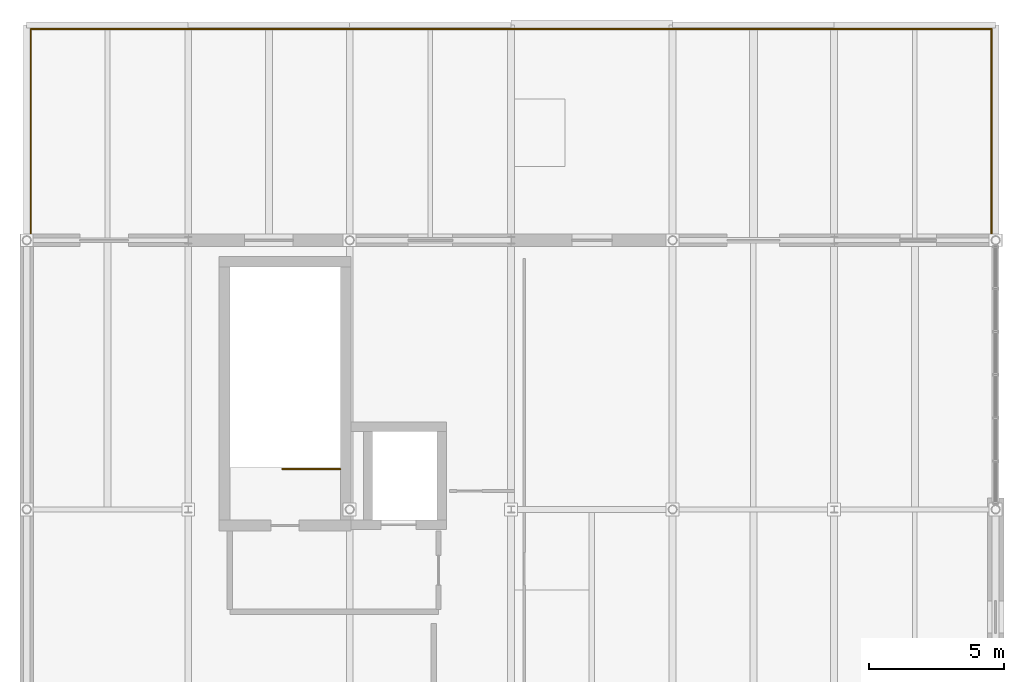
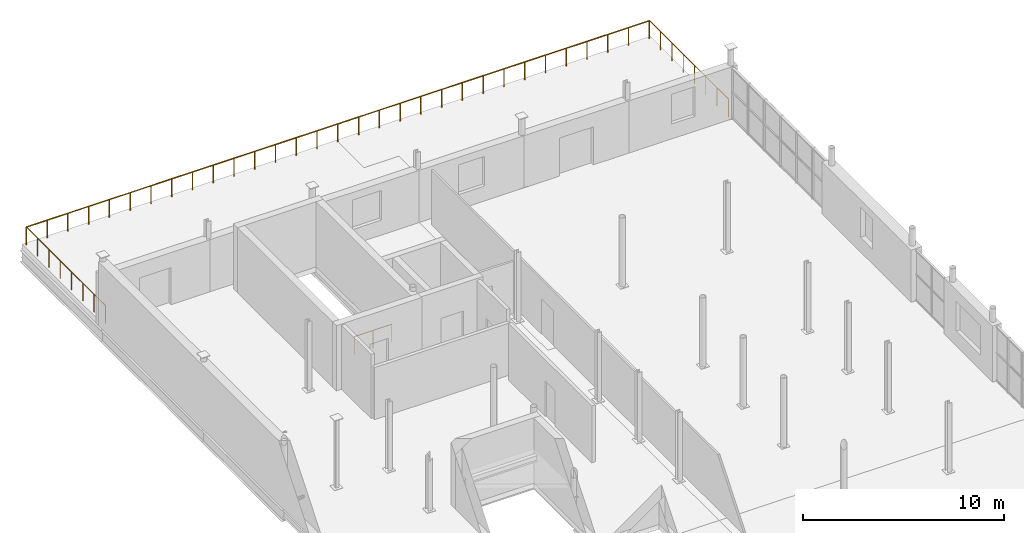
# One storey, part 30 of 30: 4 railings.
"""IFC4 building model written with IfcOpenShell, lengths in metres."""

from ifc_helpers import new_model, si_unit, direction, frame, origin, origin_2d, place, context, subcontext, project, spatial, circle, extrude, material, type_object, element, save


model = new_model("IFC4")

# Units and contexts
model_context = context("Model", 3, precision=1e-05, world=origin(), true_north=direction((0.0, 1.0)))
body_context = subcontext(model_context, "Body", "Model", "MODEL_VIEW")
ifc_project = project(units=[si_unit("LENGTHUNIT", "METRE"), si_unit("AREAUNIT", "SQUARE_METRE"), si_unit("VOLUMEUNIT", "CUBIC_METRE"), si_unit("PLANEANGLEUNIT", "RADIAN"), si_unit("MASSUNIT", "GRAM", prefix="KILO")], contexts=[model_context])

# Site, building, storey
site_placement = place(None, origin())
site = spatial("IfcSite", under=ifc_project, at=site_placement, CompositionType="ELEMENT")
building_placement = place(site_placement, origin())
building = spatial("IfcBuilding", under=site, at=building_placement, Name="Verrall Gate Interchange", CompositionType="ELEMENT")
storey_placement = place(building_placement, frame((0.0, 0.0, 19.39990234375)))
storey = spatial("IfcBuildingStorey", under=building, at=storey_placement, Name="L05", CompositionType="ELEMENT", Elevation=19.39990234375)

# Railings
ifc_material_1 = material(Name="Tyndall Dolomitic Limestone Ashlar Cavity Assembly (U=0.18)", Category="masonry")
railing_type_1 = type_object("IfcRailingType", Name="BL-01 Classical Stone Balustrade 1120", PredefinedType="BALUSTRADE", material=ifc_material_1)
railing_1_placement = place(storey_placement, frame((35.85009765625, 73.85009765625, 0.0)))
element("IfcRailing", 1, at=railing_1_placement, inside=storey, type_object=railing_type_1, Name="L05 Planted Roof Garden Guardrail 12", PredefinedType="BALUSTRADE", context=body_context, shape_type="SweptSolid", body=[
    extrude(circle(Radius=0.02392578125, at=origin_2d()), frame((0.0, 0.0, 1.09619140625), z_axis=(0.0, -1.0, 0.0), x_axis=(1.0, 0.0, 0.0)), (0.0, 0.0, 1.0), 7.85009765625),
    extrude(circle(Radius=0.02099609375, at=origin_2d()), origin(), (0.0, 0.0, 1.0), 1.072021484375),
    extrude(circle(Radius=0.02099609375, at=origin_2d()), frame((0.0, -1.121337890625, 0.0)), (0.0, 0.0, 1.0), 1.072021484375),
    extrude(circle(Radius=0.02099609375, at=origin_2d()), frame((0.0, -2.242919921875, 0.0)), (0.0, 0.0, 1.0), 1.072021484375),
    extrude(circle(Radius=0.02099609375, at=origin_2d()), frame((0.0, -3.3642578125, 0.0)), (0.0, 0.0, 1.0), 1.072021484375),
    extrude(circle(Radius=0.02099609375, at=origin_2d()), frame((0.0, -4.48583984375, 0.0)), (0.0, 0.0, 1.0), 1.072021484375),
    extrude(circle(Radius=0.02099609375, at=origin_2d()), frame((0.0, -5.607177734375, 0.0)), (0.0, 0.0, 1.0), 1.072021484375),
    extrude(circle(Radius=0.02099609375, at=origin_2d()), frame((0.0, -6.728759765625, 0.0)), (0.0, 0.0, 1.0), 1.072021484375),
    extrude(circle(Radius=0.02099609375, at=origin_2d()), frame((0.0, -7.85009765625, 0.0)), (0.0, 0.0, 1.0), 1.072021484375),
])
ifc_material_2 = material(Name="Architectural Bronze Anodized Aluminium Guardrail Assembly", Category="aluminium")
railing_type_2 = type_object("IfcRailingType", Name="GR-01 Roof Terrace Guardrail 1100", PredefinedType="GUARDRAIL", material=ifc_material_2)
railing_2_placement = place(storey_placement, frame((0.14990234375, 66.0, 0.0)))
element("IfcRailing", 2, at=railing_2_placement, inside=storey, type_object=railing_type_2, Name="L05 Planted Roof Garden Guardrail 10", PredefinedType="GUARDRAIL", context=body_context, shape_type="SweptSolid", body=[
    extrude(circle(Radius=0.02392578125, at=origin_2d()), frame((0.0, 0.0, 1.076171875), z_axis=(0.0, 1.0, 0.0), x_axis=(-1.0, 0.0, 0.0)), (0.0, 0.0, 1.0), 7.85009765625),
    extrude(circle(Radius=0.02099609375, at=origin_2d()), origin(), (0.0, 0.0, 1.0), 1.052001953125),
    extrude(circle(Radius=0.02099609375, at=origin_2d()), frame((0.0, 1.121337890625, 0.0)), (0.0, 0.0, 1.0), 1.052001953125),
    extrude(circle(Radius=0.02099609375, at=origin_2d()), frame((0.0, 2.242919921875, 0.0)), (0.0, 0.0, 1.0), 1.052001953125),
    extrude(circle(Radius=0.02099609375, at=origin_2d()), frame((0.0, 3.3642578125, 0.0)), (0.0, 0.0, 1.0), 1.052001953125),
    extrude(circle(Radius=0.02099609375, at=origin_2d()), frame((0.0, 4.48583984375, 0.0)), (0.0, 0.0, 1.0), 1.052001953125),
    extrude(circle(Radius=0.02099609375, at=origin_2d()), frame((0.0, 5.607177734375, 0.0)), (0.0, 0.0, 1.0), 1.052001953125),
    extrude(circle(Radius=0.02099609375, at=origin_2d()), frame((0.0, 6.728759765625, 0.0)), (0.0, 0.0, 1.0), 1.052001953125),
    extrude(circle(Radius=0.02099609375, at=origin_2d()), frame((0.0, 7.85009765625, 0.0)), (0.0, 0.0, 1.0), 1.052001953125),
])
railing_3_placement = place(storey_placement, frame((0.14990234375, 73.85009765625, 0.0)))
element("IfcRailing", 3, at=railing_3_placement, inside=storey, type_object=railing_type_2, Name="L05 Planted Roof Garden Guardrail 11", PredefinedType="GUARDRAIL", context=body_context, shape_type="SweptSolid", body=[
    extrude(circle(Radius=0.02392578125, at=origin_2d()), frame((0.0, 0.0, 1.076171875), z_axis=(1.0, 0.0, 0.0), x_axis=(0.0, 1.0, 0.0)), (0.0, 0.0, 1.0), 35.7001953125),
    extrude(circle(Radius=0.02099609375, at=origin_2d()), origin(), (0.0, 0.0, 1.0), 1.052001953125),
    extrude(circle(Radius=0.02099609375, at=origin_2d()), frame((1.18994140625, 0.0, 0.0)), (0.0, 0.0, 1.0), 1.052001953125),
    extrude(circle(Radius=0.02099609375, at=origin_2d()), frame((2.380126953125, 0.0, 0.0)), (0.0, 0.0, 1.0), 1.052001953125),
    extrude(circle(Radius=0.02099609375, at=origin_2d()), frame((3.570068359375, 0.0, 0.0)), (0.0, 0.0, 1.0), 1.052001953125),
    extrude(circle(Radius=0.02099609375, at=origin_2d()), frame((4.760009765625, 0.0, 0.0)), (0.0, 0.0, 1.0), 1.052001953125),
    extrude(circle(Radius=0.02099609375, at=origin_2d()), frame((5.949951171875, 0.0, 0.0)), (0.0, 0.0, 1.0), 1.052001953125),
    extrude(circle(Radius=0.02099609375, at=origin_2d()), frame((7.14013671875, 0.0, 0.0)), (0.0, 0.0, 1.0), 1.052001953125),
    extrude(circle(Radius=0.02099609375, at=origin_2d()), frame((8.330078125, 0.0, 0.0)), (0.0, 0.0, 1.0), 1.052001953125),
    extrude(circle(Radius=0.02099609375, at=origin_2d()), frame((9.52001953125, 0.0, 0.0)), (0.0, 0.0, 1.0), 1.052001953125),
    extrude(circle(Radius=0.02099609375, at=origin_2d()), frame((10.7099609375, 0.0, 0.0)), (0.0, 0.0, 1.0), 1.052001953125),
    extrude(circle(Radius=0.02099609375, at=origin_2d()), frame((11.900146484375, 0.0, 0.0)), (0.0, 0.0, 1.0), 1.052001953125),
    extrude(circle(Radius=0.02099609375, at=origin_2d()), frame((13.090087890625, 0.0, 0.0)), (0.0, 0.0, 1.0), 1.052001953125),
    extrude(circle(Radius=0.02099609375, at=origin_2d()), frame((14.280029296875, 0.0, 0.0)), (0.0, 0.0, 1.0), 1.052001953125),
    extrude(circle(Radius=0.02099609375, at=origin_2d()), frame((15.469970703125, 0.0, 0.0)), (0.0, 0.0, 1.0), 1.052001953125),
    extrude(circle(Radius=0.02099609375, at=origin_2d()), frame((16.66015625, 0.0, 0.0)), (0.0, 0.0, 1.0), 1.052001953125),
    extrude(circle(Radius=0.02099609375, at=origin_2d()), frame((17.85009765625, 0.0, 0.0)), (0.0, 0.0, 1.0), 1.052001953125),
    extrude(circle(Radius=0.02099609375, at=origin_2d()), frame((19.0400390625, 0.0, 0.0)), (0.0, 0.0, 1.0), 1.052001953125),
    extrude(circle(Radius=0.02099609375, at=origin_2d()), frame((20.230224609375, 0.0, 0.0)), (0.0, 0.0, 1.0), 1.052001953125),
    extrude(circle(Radius=0.02099609375, at=origin_2d()), frame((21.420166015625, 0.0, 0.0)), (0.0, 0.0, 1.0), 1.052001953125),
    extrude(circle(Radius=0.02099609375, at=origin_2d()), frame((22.610107421875, 0.0, 0.0)), (0.0, 0.0, 1.0), 1.052001953125),
    extrude(circle(Radius=0.02099609375, at=origin_2d()), frame((23.800048828125, 0.0, 0.0)), (0.0, 0.0, 1.0), 1.052001953125),
    extrude(circle(Radius=0.02099609375, at=origin_2d()), frame((24.990234375, 0.0, 0.0)), (0.0, 0.0, 1.0), 1.052001953125),
    extrude(circle(Radius=0.02099609375, at=origin_2d()), frame((26.18017578125, 0.0, 0.0)), (0.0, 0.0, 1.0), 1.052001953125),
    extrude(circle(Radius=0.02099609375, at=origin_2d()), frame((27.3701171875, 0.0, 0.0)), (0.0, 0.0, 1.0), 1.052001953125),
    extrude(circle(Radius=0.02099609375, at=origin_2d()), frame((28.56005859375, 0.0, 0.0)), (0.0, 0.0, 1.0), 1.052001953125),
    extrude(circle(Radius=0.02099609375, at=origin_2d()), frame((29.750244140625, 0.0, 0.0)), (0.0, 0.0, 1.0), 1.052001953125),
    extrude(circle(Radius=0.02099609375, at=origin_2d()), frame((30.940185546875, 0.0, 0.0)), (0.0, 0.0, 1.0), 1.052001953125),
    extrude(circle(Radius=0.02099609375, at=origin_2d()), frame((32.130126953125, 0.0, 0.0)), (0.0, 0.0, 1.0), 1.052001953125),
    extrude(circle(Radius=0.02099609375, at=origin_2d()), frame((33.320068359375, 0.0, 0.0)), (0.0, 0.0, 1.0), 1.052001953125),
    extrude(circle(Radius=0.02099609375, at=origin_2d()), frame((34.51025390625, 0.0, 0.0)), (0.0, 0.0, 1.0), 1.052001953125),
    extrude(circle(Radius=0.02099609375, at=origin_2d()), frame((35.7001953125, 0.0, 0.0)), (0.0, 0.0, 1.0), 1.052001953125),
])
ifc_material_3 = material(Name="Brushed Stainless-Steel Guardrail and Handrail System", Category="steel")
railing_type_3 = type_object("IfcRailingType", Name="GR-02 Interior Atrium and Stair Guardrail 1100", PredefinedType="GUARDRAIL", material=ifc_material_3)
railing_4_placement = place(storey_placement, frame((11.64990234375, 57.5, 0.0)))
element("IfcRailing", 4, at=railing_4_placement, inside=storey, type_object=railing_type_3, Name="L05 ST-03 top well guard 1", PredefinedType="GUARDRAIL", context=body_context, shape_type="SweptSolid", body=[
    extrude(circle(Radius=0.02392578125, at=origin_2d()), frame((0.0, 0.0, 1.076171875), z_axis=(-1.0, 0.0, 0.0), x_axis=(0.0, -1.0, 0.0)), (0.0, 0.0, 1.0), 2.14990234375),
    extrude(circle(Radius=0.02099609375, at=origin_2d()), origin(), (0.0, 0.0, 1.0), 1.052001953125),
    extrude(circle(Radius=0.02099609375, at=origin_2d()), frame((-1.074951171875, 0.0, 0.0)), (0.0, 0.0, 1.0), 1.052001953125),
    extrude(circle(Radius=0.02099609375, at=origin_2d()), frame((-2.14990234375, 0.0, 0.0)), (0.0, 0.0, 1.0), 1.052001953125),
])

save(model, "model.ifc")
